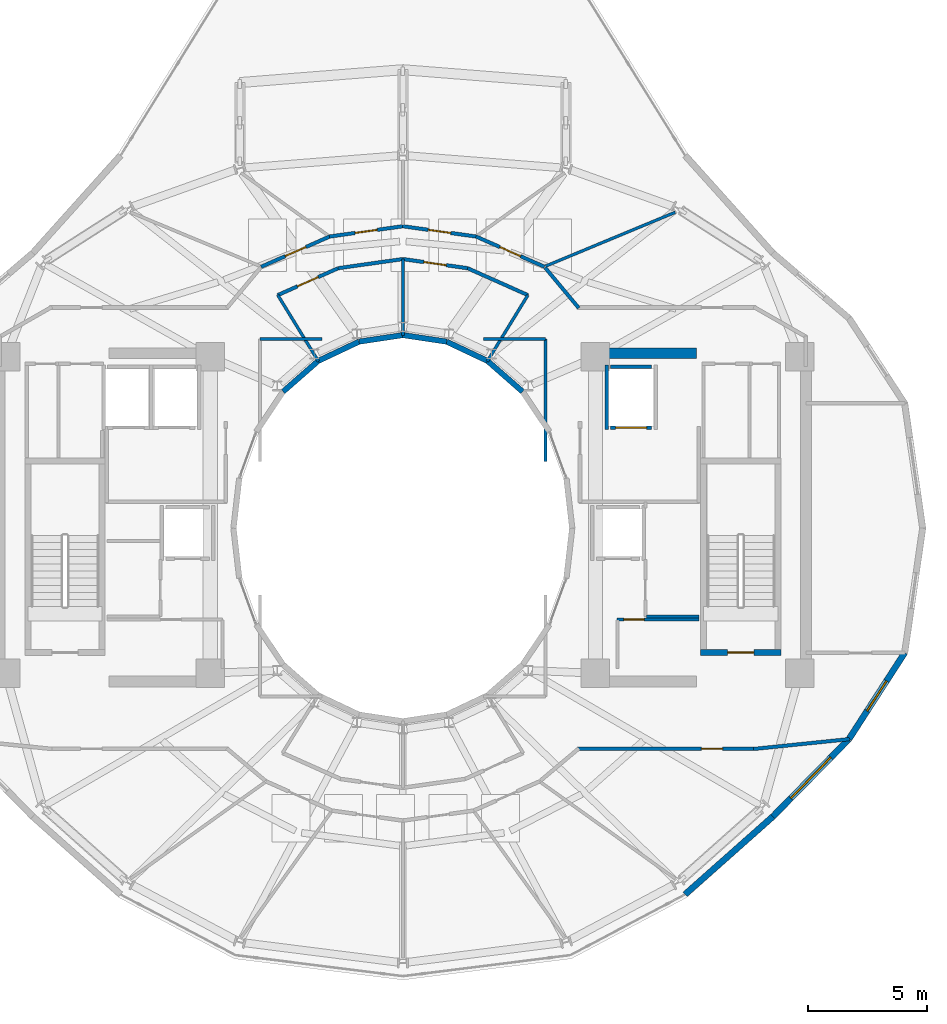
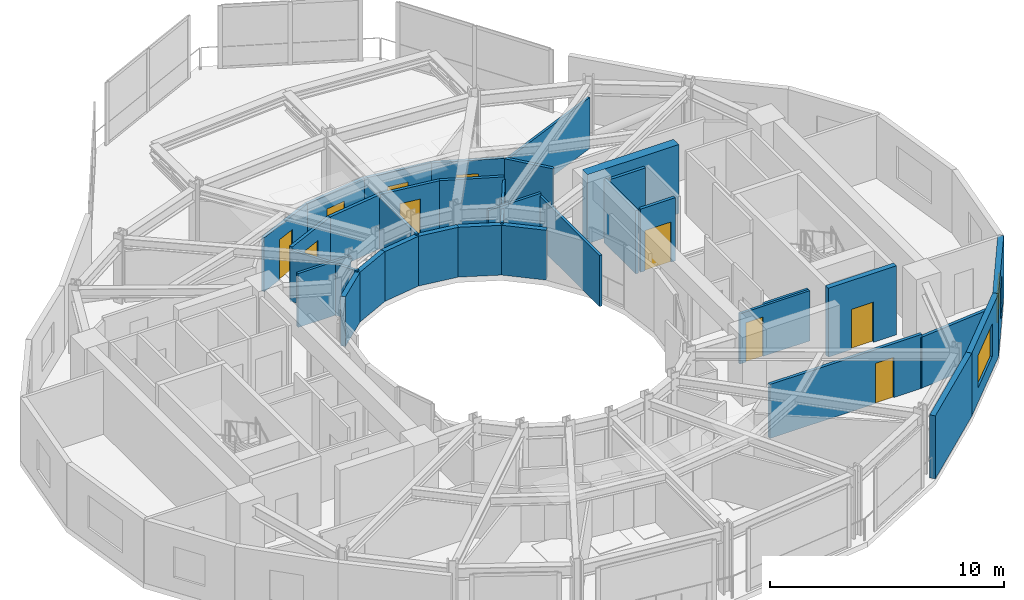
# One storey, part 20 of 24: 34 walls, 10 doors, 2 windows, 12 openings.
"""IFC4 building model written with IfcOpenShell, lengths in metres."""

from ifc_helpers import new_model, si_unit, direction, frame, frame_2d, origin, place, context, subcontext, project, spatial, rectangle, extrude, material, layer, layer_set, type_object, element, fill, save


model = new_model("IFC4")

# Units and contexts
model_context = context("Model", 3, precision=1e-05, world=origin(), true_north=direction((0.0, 1.0)))
body_context = subcontext(model_context, "Body", "Model", "MODEL_VIEW")
ifc_project = project(units=[si_unit("LENGTHUNIT", "METRE"), si_unit("AREAUNIT", "SQUARE_METRE"), si_unit("VOLUMEUNIT", "CUBIC_METRE"), si_unit("PLANEANGLEUNIT", "RADIAN"), si_unit("MASSUNIT", "GRAM", prefix="KILO")], contexts=[model_context])

# Site, building, storey
site_placement = place(None, origin())
site = spatial("IfcSite", under=ifc_project, at=site_placement, CompositionType="ELEMENT")
building_placement = place(site_placement, origin())
building = spatial("IfcBuilding", under=site, at=building_placement, Name="Solvane Sanctuary Tower", CompositionType="ELEMENT")
storey_placement = place(building_placement, frame((0.0, 0.0, 246.0)))
storey = spatial("IfcBuildingStorey", under=building, at=storey_placement, Name="L75", CompositionType="ELEMENT", Elevation=246.0)

# Walls
ifc_material_1 = material(Name="Concrete C50/60", Category="concrete")
ifc_layer_1 = layer(ifc_material_1, 0.449951171875, Name="Concrete C50/60")
ifc_layer_set_1 = layer_set([ifc_layer_1], Name="Concrete C50/60")
wall_type_1 = type_object("IfcWallType", Name="Wall W-CORE-450", PredefinedType="SHEAR", material=ifc_layer_set_1)
wall_1_placement = place(storey_placement, frame((39.85009765625, 30.35009765625, 0.0), z_axis=(0.0, 0.0, 1.0), x_axis=(1.0, 0.0, 0.0)))
element("IfcWall", 1, at=wall_1_placement, inside=storey, type_object=wall_type_1, Name="L75 Core Shear Wall EC-N", PredefinedType="SHEAR", context=body_context, shape_type="SweptSolid", body=[
    extrude(rectangle(XDim=4.5, YDim=0.449951171875, at=frame_2d((2.25, 0.0))), origin(), (0.0, 0.0, 1.0), 3.60009765625),
])
ifc_material_2 = material(Name="Acoustic Gypsum Partition Board")
ifc_layer_2 = layer(ifc_material_2, 0.14990234375, Name="Acoustic Gypsum Partition Board")
ifc_layer_set_2 = layer_set([ifc_layer_2], Name="Acoustic Gypsum Partition Board")
wall_type_2 = type_object("IfcWallType", Name="Wall W-CORR-150", PredefinedType="PARTITIONING", material=ifc_layer_set_2)
wall_2_placement = place(storey_placement, frame((37.265380859375, 32.797607421875, 0.0), z_axis=(0.0, 0.0, 1.0), x_axis=(-0.913254317828, 0.407389924971, 0.0)))
element("IfcWall", 2, at=wall_2_placement, inside=storey, type_object=wall_type_2, Name="L75 Light-Well Alcove Corridor Wall 1", PredefinedType="PARTITIONING", context=body_context, shape_type="SweptSolid", body=[
    extrude(rectangle(XDim=2.78662109375, YDim=0.14990234375, at=frame_2d((1.393310546875, 0.0))), origin(), (0.0, 0.0, 1.0), 2.822998046875),
])

# Wall, opening, door
wall_3_placement = place(storey_placement, frame((34.72412109375, 33.931884765625, 0.0), z_axis=(0.0, 0.0, 1.0), x_axis=(-0.990150268487, 0.140008734782, 0.0)))
wall_3 = element("IfcWall", 3, at=wall_3_placement, inside=storey, type_object=wall_type_2, Name="L75 Light-Well Alcove Corridor Wall 1", PredefinedType="PARTITIONING", context=body_context, shape_type="SweptSolid", body=[
    extrude(rectangle(XDim=2.758544921875, YDim=0.14990234375, at=frame_2d((1.37939453125, 0.0))), origin(), (0.0, 0.0, 1.0), 2.822998046875),
])
opening_1_placement = place(wall_3_placement, frame((0.904296875, 0.0, 0.0)))
opening_1 = element("IfcOpeningElement", 4, at=opening_1_placement, cuts=wall_3, Name="Opening D-L75-13", PredefinedType="OPENING", context=body_context, shape_type="SweptSolid", body=[
    extrude(rectangle(XDim=0.949951171875, YDim=2.10009765625, at=frame_2d((0.47509765625, 1.050048828125))), frame((0.0, 0.0849609375, 0.0), z_axis=(0.0, -1.0, 0.0), x_axis=(1.0, 0.0, 0.0)), (0.0, 0.0, 1.0), 0.169921875),
])
ifc_material_3 = material(Name="Engineered Tropical Hardwood", Category="wood")
door_type_1 = type_object("IfcDoorType", Name="Door D-ROOM-950", OperationType="NOTDEFINED", PredefinedType="DOOR", material=ifc_material_3)
door_1_placement = place(opening_1_placement, origin())
door_1 = element("IfcDoor", 5, at=door_1_placement, inside=storey, type_object=door_type_1, Name="L75 Light-Well Alcove Door 1", OperationType="SINGLE_SWING_RIGHT", OverallHeight=2.10009765625, OverallWidth=0.949951171875, PredefinedType="DOOR", context=body_context, shape_type="SweptSolid", body=[
    extrude(rectangle(XDim=0.949951171875, YDim=2.10009765625, at=frame_2d((0.47509765625, 1.050048828125))), frame((0.0, 0.02490234375, 0.0), z_axis=(0.0, -1.0, 0.0), x_axis=(1.0, 0.0, 0.0)), (0.0, 0.0, 1.0), 0.050048828125),
])
fill(opening_1, door_1)

# Wall
wall_4_placement = place(storey_placement, frame((32.00732421875, 34.318115234375, 0.0), z_axis=(0.0, 0.0, 1.0), x_axis=(-0.990150268487, -0.140008734782, 0.0)))
element("IfcWall", 6, at=wall_4_placement, inside=storey, type_object=wall_type_2, Name="L75 Light-Well Alcove Corridor Wall 2", PredefinedType="PARTITIONING", context=body_context, shape_type="SweptSolid", body=[
    extrude(rectangle(XDim=2.758544921875, YDim=0.14990234375, at=frame_2d((1.37939453125, 0.0))), origin(), (0.0, 0.0, 1.0), 2.822998046875),
])

# Wall, opening, door
wall_5_placement = place(storey_placement, frame((29.279541015625, 33.932861328125, 0.0), z_axis=(0.0, 0.0, 1.0), x_axis=(-0.913254317828, -0.407389924971, 0.0)))
wall_5 = element("IfcWall", 7, at=wall_5_placement, inside=storey, type_object=wall_type_2, Name="L75 Light-Well Alcove Corridor Wall 2", PredefinedType="PARTITIONING", context=body_context, shape_type="SweptSolid", body=[
    extrude(rectangle(XDim=2.78662109375, YDim=0.14990234375, at=frame_2d((1.393310546875, 0.0))), origin(), (0.0, 0.0, 1.0), 2.822998046875),
])
opening_2_placement = place(wall_5_placement, frame((0.918212890625, 0.0, 0.0)))
opening_2 = element("IfcOpeningElement", 8, at=opening_2_placement, cuts=wall_5, Name="Opening D-L75-14", PredefinedType="OPENING", context=body_context, shape_type="SweptSolid", body=[
    extrude(rectangle(XDim=0.949951171875, YDim=2.10009765625, at=frame_2d((0.47509765625, 1.050048828125))), frame((0.0, 0.0849609375, 0.0), z_axis=(0.0, -1.0, 0.0), x_axis=(1.0, 0.0, 0.0)), (0.0, 0.0, 1.0), 0.169921875),
])
door_2_placement = place(opening_2_placement, origin())
door_2 = element("IfcDoor", 9, at=door_2_placement, inside=storey, type_object=door_type_1, Name="L75 Light-Well Alcove Door 2", OperationType="SINGLE_SWING_LEFT", OverallHeight=2.10009765625, OverallWidth=0.949951171875, PredefinedType="DOOR", context=body_context, shape_type="SweptSolid", body=[
    extrude(rectangle(XDim=0.949951171875, YDim=2.10009765625, at=frame_2d((0.47509765625, 1.050048828125))), frame((0.0, 0.02490234375, 0.0), z_axis=(0.0, -1.0, 0.0), x_axis=(1.0, 0.0, 0.0)), (0.0, 0.0, 1.0), 0.050048828125),
])
fill(opening_2, door_2)

# Wall
wall_6_placement = place(storey_placement, frame((37.984130859375, 33.95458984375, 0.0), z_axis=(0.0, 0.0, 1.0), x_axis=(0.64030392053, -0.76812166312, 0.0)))
element("IfcWall", 10, at=wall_6_placement, inside=storey, type_object=wall_type_2, Name="L75 NE Corner Throat Wall", PredefinedType="PARTITIONING", context=body_context, shape_type="SweptSolid", body=[
    extrude(rectangle(XDim=2.2099609375, YDim=0.14990234375, at=frame_2d((1.10498046875, 0.0))), origin(), (0.0, 0.0, 1.0), 2.81591796875),
])

# Wall, opening, door
wall_7_placement = place(storey_placement, frame((39.330078125, 13.719970703125, 0.0), z_axis=(0.0, 0.0, 1.0), x_axis=(1.0, 0.0, 0.0)))
wall_7 = element("IfcWall", 11, at=wall_7_placement, inside=storey, type_object=wall_type_2, Name="L75 SE Corner Corridor Wall", PredefinedType="PARTITIONING", context=body_context, shape_type="SweptSolid", body=[
    extrude(rectangle(XDim=7.52001953125, YDim=0.14990234375, at=frame_2d((3.760009765625, 0.0))), origin(), (0.0, 0.0, 1.0), 2.81591796875),
])
opening_3_placement = place(wall_7_placement, frame((5.219970703125, 0.0, 0.0)))
opening_3 = element("IfcOpeningElement", 12, at=opening_3_placement, cuts=wall_7, Name="Opening D-L75-22", PredefinedType="OPENING", context=body_context, shape_type="SweptSolid", body=[
    extrude(rectangle(XDim=0.89990234375, YDim=2.10009765625, at=frame_2d((0.449951171875, 1.050048828125))), frame((0.0, 0.0849609375, 0.0), z_axis=(0.0, -1.0, 0.0), x_axis=(1.0, 0.0, 0.0)), (0.0, 0.0, 1.0), 0.169921875),
])
door_type_2 = type_object("IfcDoorType", Name="Door D-WET-900", OperationType="NOTDEFINED", PredefinedType="DOOR", material=ifc_material_3)
door_3_placement = place(opening_3_placement, origin())
door_3 = element("IfcDoor", 13, at=door_3_placement, inside=storey, type_object=door_type_2, Name="L75 SE Corner Salon Door", OperationType="SINGLE_SWING_LEFT", OverallHeight=2.10009765625, OverallWidth=0.89990234375, PredefinedType="DOOR", context=body_context, shape_type="SweptSolid", body=[
    extrude(rectangle(XDim=0.89990234375, YDim=2.10009765625, at=frame_2d((0.449951171875, 1.050048828125))), frame((0.0, 0.02490234375, 0.0), z_axis=(0.0, -1.0, 0.0), x_axis=(1.0, 0.0, 0.0)), (0.0, 0.0, 1.0), 0.050048828125),
])
fill(opening_3, door_3)

# Wall
wall_8_placement = place(storey_placement, frame((46.750244140625, 13.71484375, 0.0), z_axis=(0.0, 0.0, 1.0), x_axis=(0.994734711466, 0.102483431859, 0.0)))
element("IfcWall", 14, at=wall_8_placement, inside=storey, type_object=wall_type_2, Name="L75 SE Corner Wing Wall", PredefinedType="PARTITIONING", context=body_context, shape_type="SweptSolid", body=[
    extrude(rectangle(XDim=4.04736328125, YDim=0.14990234375, at=frame_2d((2.023681640625, 0.0))), origin(), (0.0, 0.0, 1.0), 2.659912109375),
])

# Wall, opening, door
wall_9_placement = place(storey_placement, frame((37.956298828125, 33.992431640625, 0.0), z_axis=(0.0, 0.0, 1.0), x_axis=(-0.914642679993, 0.404263240891, 0.0)))
wall_9 = element("IfcWall", 15, at=wall_9_placement, inside=storey, type_object=wall_type_2, Name="L75 Sky Promenade Corridor Wall N1", PredefinedType="PARTITIONING", context=body_context, shape_type="SweptSolid", body=[
    extrude(rectangle(XDim=3.154296875, YDim=0.14990234375, at=frame_2d((1.5771484375, 0.0))), origin(), (0.0, 0.0, 1.0), 2.822998046875),
])
opening_4_placement = place(wall_9_placement, frame((1.10205078125, 0.0, 0.0)))
opening_4 = element("IfcOpeningElement", 16, at=opening_4_placement, cuts=wall_9, Name="Opening D-L75-23", PredefinedType="OPENING", context=body_context, shape_type="SweptSolid", body=[
    extrude(rectangle(XDim=0.949951171875, YDim=2.10009765625, at=frame_2d((0.47509765625, 1.050048828125))), frame((0.0, 0.0849609375, 0.0), z_axis=(0.0, -1.0, 0.0), x_axis=(1.0, 0.0, 0.0)), (0.0, 0.0, 1.0), 0.169921875),
])
door_4_placement = place(opening_4_placement, origin())
door_4 = element("IfcDoor", 17, at=door_4_placement, inside=storey, type_object=door_type_1, Name="L75 Sky Hall Entrance Door N1", OperationType="SINGLE_SWING_RIGHT", OverallHeight=2.10009765625, OverallWidth=0.949951171875, PredefinedType="DOOR", context=body_context, shape_type="SweptSolid", body=[
    extrude(rectangle(XDim=0.949951171875, YDim=2.10009765625, at=frame_2d((0.47509765625, 1.050048828125))), frame((0.0, 0.02490234375, 0.0), z_axis=(0.0, -1.0, 0.0), x_axis=(1.0, 0.0, 0.0)), (0.0, 0.0, 1.0), 0.050048828125),
])
fill(opening_4, door_4)

wall_10_placement = place(storey_placement, frame((35.08740234375, 35.262939453125, 0.0), z_axis=(0.0, 0.0, 1.0), x_axis=(-0.990268690673, 0.139168675614, 0.0)))
wall_10 = element("IfcWall", 18, at=wall_10_placement, inside=storey, type_object=wall_type_2, Name="L75 Sky Promenade Corridor Wall N2", PredefinedType="PARTITIONING", context=body_context, shape_type="SweptSolid", body=[
    extrude(rectangle(XDim=3.126220703125, YDim=0.14990234375, at=frame_2d((1.56298828125, 0.0))), origin(), (0.0, 0.0, 1.0), 2.822998046875),
])
opening_5_placement = place(wall_10_placement, frame((1.088134765625, 0.0, 0.0)))
opening_5 = element("IfcOpeningElement", 19, at=opening_5_placement, cuts=wall_10, Name="Opening D-L75-24", PredefinedType="OPENING", context=body_context, shape_type="SweptSolid", body=[
    extrude(rectangle(XDim=0.949951171875, YDim=2.10009765625, at=frame_2d((0.47509765625, 1.050048828125))), frame((0.0, 0.0849609375, 0.0), z_axis=(0.0, -1.0, 0.0), x_axis=(1.0, 0.0, 0.0)), (0.0, 0.0, 1.0), 0.169921875),
])
door_5_placement = place(opening_5_placement, origin())
door_5 = element("IfcDoor", 20, at=door_5_placement, inside=storey, type_object=door_type_1, Name="L75 Sky Hall Entrance Door N2", OperationType="SINGLE_SWING_LEFT", OverallHeight=2.10009765625, OverallWidth=0.949951171875, PredefinedType="DOOR", context=body_context, shape_type="SweptSolid", body=[
    extrude(rectangle(XDim=0.949951171875, YDim=2.10009765625, at=frame_2d((0.47509765625, 1.050048828125))), frame((0.0, 0.02490234375, 0.0), z_axis=(0.0, -1.0, 0.0), x_axis=(1.0, 0.0, 0.0)), (0.0, 0.0, 1.0), 0.050048828125),
])
fill(opening_5, door_5)

wall_11_placement = place(storey_placement, frame((32.00830078125, 35.697998046875, 0.0), z_axis=(0.0, 0.0, 1.0), x_axis=(-0.990268690673, -0.139168675614, 0.0)))
wall_11 = element("IfcWall", 21, at=wall_11_placement, inside=storey, type_object=wall_type_2, Name="L75 Sky Promenade Corridor Wall N3", PredefinedType="PARTITIONING", context=body_context, shape_type="SweptSolid", body=[
    extrude(rectangle(XDim=3.126220703125, YDim=0.14990234375, at=frame_2d((1.56298828125, 0.0))), origin(), (0.0, 0.0, 1.0), 2.822998046875),
])
opening_6_placement = place(wall_11_placement, frame((1.088134765625, 0.0, 0.0)))
opening_6 = element("IfcOpeningElement", 22, at=opening_6_placement, cuts=wall_11, Name="Opening D-L75-25", PredefinedType="OPENING", context=body_context, shape_type="SweptSolid", body=[
    extrude(rectangle(XDim=0.949951171875, YDim=2.10009765625, at=frame_2d((0.47509765625, 1.050048828125))), frame((0.0, 0.0849609375, 0.0), z_axis=(0.0, -1.0, 0.0), x_axis=(1.0, 0.0, 0.0)), (0.0, 0.0, 1.0), 0.169921875),
])
door_6_placement = place(opening_6_placement, origin())
door_6 = element("IfcDoor", 23, at=door_6_placement, inside=storey, type_object=door_type_1, Name="L75 Sky Hall Entrance Door N3", OperationType="SINGLE_SWING_RIGHT", OverallHeight=2.10009765625, OverallWidth=0.949951171875, PredefinedType="DOOR", context=body_context, shape_type="SweptSolid", body=[
    extrude(rectangle(XDim=0.949951171875, YDim=2.10009765625, at=frame_2d((0.47509765625, 1.050048828125))), frame((0.0, 0.02490234375, 0.0), z_axis=(0.0, -1.0, 0.0), x_axis=(1.0, 0.0, 0.0)), (0.0, 0.0, 1.0), 0.050048828125),
])
fill(opening_6, door_6)

wall_12_placement = place(storey_placement, frame((28.9287109375, 35.267578125, 0.0), z_axis=(0.0, 0.0, 1.0), x_axis=(-0.914642679993, -0.404263240891, 0.0)))
wall_12 = element("IfcWall", 24, at=wall_12_placement, inside=storey, type_object=wall_type_2, Name="L75 Sky Promenade Corridor Wall N4", PredefinedType="PARTITIONING", context=body_context, shape_type="SweptSolid", body=[
    extrude(rectangle(XDim=3.154296875, YDim=0.14990234375, at=frame_2d((1.5771484375, 0.0))), origin(), (0.0, 0.0, 1.0), 2.822998046875),
])
opening_7_placement = place(wall_12_placement, frame((1.10205078125, 0.0, 0.0)))
opening_7 = element("IfcOpeningElement", 25, at=opening_7_placement, cuts=wall_12, Name="Opening D-L75-26", PredefinedType="OPENING", context=body_context, shape_type="SweptSolid", body=[
    extrude(rectangle(XDim=0.949951171875, YDim=2.10009765625, at=frame_2d((0.47509765625, 1.050048828125))), frame((0.0, 0.0849609375, 0.0), z_axis=(0.0, -1.0, 0.0), x_axis=(1.0, 0.0, 0.0)), (0.0, 0.0, 1.0), 0.169921875),
])
door_7_placement = place(opening_7_placement, origin())
door_7 = element("IfcDoor", 26, at=door_7_placement, inside=storey, type_object=door_type_1, Name="L75 Sky Hall Entrance Door N4", OperationType="SINGLE_SWING_LEFT", OverallHeight=2.10009765625, OverallWidth=0.949951171875, PredefinedType="DOOR", context=body_context, shape_type="SweptSolid", body=[
    extrude(rectangle(XDim=0.949951171875, YDim=2.10009765625, at=frame_2d((0.47509765625, 1.050048828125))), frame((0.0, 0.02490234375, 0.0), z_axis=(0.0, -1.0, 0.0), x_axis=(1.0, 0.0, 0.0)), (0.0, 0.0, 1.0), 0.050048828125),
])
fill(opening_7, door_7)

# Wall
ifc_material_4 = material(Name="Precast concrete C40/50", Category="concrete")
ifc_layer_3 = layer(ifc_material_4, 0.260009765625, Name="Precast concrete C40/50")
ifc_layer_set_3 = layer_set([ifc_layer_3], Name="Precast concrete C40/50")
wall_type_3 = type_object("IfcWallType", Name="Wall W-EXT-250", PredefinedType="STANDARD", material=ifc_layer_set_3)
wall_13_placement = place(storey_placement, frame((43.8701171875, 7.600830078125, 0.0), z_axis=(0.0, 0.0, 1.0), x_axis=(0.748165854006, 0.663511759428, 0.0)))
element("IfcWall", 27, at=wall_13_placement, inside=storey, type_object=wall_type_3, Name="L75 Ceramic-Printed Facade Wall 20", PredefinedType="STANDARD", context=body_context, shape_type="SweptSolid", body=[
    extrude(rectangle(XDim=4.9287109375, YDim=0.260009765625, at=frame_2d((2.46435546875, 0.0))), origin(), (0.0, 0.0, 1.0), 3.2900390625),
])

# Wall, opening, window
wall_14_placement = place(storey_placement, frame((47.5576171875, 10.87109375, 0.0), z_axis=(0.0, 0.0, 1.0), x_axis=(0.700642973333, 0.713512034881, 0.0)))
wall_14 = element("IfcWall", 28, at=wall_14_placement, inside=storey, type_object=wall_type_3, Name="L75 Ceramic-Printed Facade Wall 21", PredefinedType="STANDARD", context=body_context, shape_type="SweptSolid", body=[
    extrude(rectangle(XDim=4.572021484375, YDim=0.260009765625, at=frame_2d((2.2861328125, 0.0))), origin(), (0.0, 0.0, 1.0), 3.2900390625),
])
opening_8_placement = place(wall_14_placement, frame((1.0859375, 0.0, 0.75)))
opening_8 = element("IfcOpeningElement", 29, at=opening_8_placement, cuts=wall_14, Name="Opening WN-RIB-2400", PredefinedType="OPENING", context=body_context, shape_type="SweptSolid", body=[
    extrude(rectangle(XDim=2.39990234375, YDim=1.699951171875, at=frame_2d((1.199951171875, 0.85009765625))), frame((0.0, 0.139892578125, 0.0), z_axis=(0.0, -1.0, 0.0), x_axis=(1.0, 0.0, 0.0)), (0.0, 0.0, 1.0), 0.280029296875),
])
ifc_material_5 = material(Name="Dark Ceramic-Fritted Low-E Glass", Category="glass")
window_type_1 = type_object("IfcWindowType", Name="Window WN-RIB-2400", PartitioningType="SINGLE_PANEL", PredefinedType="WINDOW", material=ifc_material_5)
window_1_placement = place(opening_8_placement, origin())
window_1 = element("IfcWindow", 30, at=window_1_placement, inside=storey, type_object=window_type_1, Name="L75 Operable Facade Window 21", OverallHeight=1.699951171875, OverallWidth=2.39990234375, PartitioningType="SINGLE_PANEL", PredefinedType="WINDOW", context=body_context, shape_type="SweptSolid", body=[
    extrude(rectangle(XDim=2.39990234375, YDim=1.699951171875, at=frame_2d((1.199951171875, 0.85009765625))), frame((0.0, 0.030029296875, 0.0), z_axis=(0.0, -1.0, 0.0), x_axis=(1.0, 0.0, 0.0)), (0.0, 0.0, 1.0), 0.06005859375),
])
fill(opening_8, window_1)

wall_15_placement = place(storey_placement, frame((50.760986328125, 14.13330078125, 0.0), z_axis=(0.0, 0.0, 1.0), x_axis=(0.542641766008, 0.839964233634, 0.0)))
wall_15 = element("IfcWall", 31, at=wall_15_placement, inside=storey, type_object=wall_type_3, Name="L75 Ceramic-Printed Facade Wall 22", PredefinedType="STANDARD", context=body_context, shape_type="SweptSolid", body=[
    extrude(rectangle(XDim=4.319091796875, YDim=0.260009765625, at=frame_2d((2.15966796875, 0.0))), origin(), (0.0, 0.0, 1.0), 3.2900390625),
])
opening_9_placement = place(wall_15_placement, frame((1.40966796875, 0.0, 0.75)))
opening_9 = element("IfcOpeningElement", 32, at=opening_9_placement, cuts=wall_15, Name="Opening WN-OPER-1500", PredefinedType="OPENING", context=body_context, shape_type="SweptSolid", body=[
    extrude(rectangle(XDim=1.5, YDim=1.60009765625, at=frame_2d((0.75, 0.800048828125))), frame((0.0, 0.139892578125, 0.0), z_axis=(0.0, -1.0, 0.0), x_axis=(1.0, 0.0, 0.0)), (0.0, 0.0, 1.0), 0.280029296875),
])
window_type_2 = type_object("IfcWindowType", Name="Window WN-OPER-1500", PartitioningType="SINGLE_PANEL", PredefinedType="WINDOW", material=ifc_material_5)
window_2_placement = place(opening_9_placement, origin())
window_2 = element("IfcWindow", 33, at=window_2_placement, inside=storey, type_object=window_type_2, Name="L75 Operable Facade Window 22", OverallHeight=1.60009765625, OverallWidth=1.5, PartitioningType="SINGLE_PANEL", PredefinedType="WINDOW", context=body_context, shape_type="SweptSolid", body=[
    extrude(rectangle(XDim=1.5, YDim=1.60009765625, at=frame_2d((0.75, 0.800048828125))), frame((0.0, 0.030029296875, 0.0), z_axis=(0.0, -1.0, 0.0), x_axis=(1.0, 0.0, 0.0)), (0.0, 0.0, 1.0), 0.06005859375),
])
fill(opening_9, window_2)

# Walls
ifc_layer_4 = layer(ifc_material_4, 0.22998046875, Name="Precast concrete C40/50")
ifc_layer_set_4 = layer_set([ifc_layer_4], Name="Precast concrete C40/50")
wall_type_4 = type_object("IfcWallType", Name="Wall W-EXT-SP220", PredefinedType="STANDARD", material=ifc_layer_set_4)
wall_16_placement = place(storey_placement, frame((37.03466796875, 28.74169921875, 0.0), z_axis=(0.0, 0.0, 1.0), x_axis=(-0.752576694707, 0.658504607869, 0.0)))
element("IfcWall", 34, at=wall_16_placement, inside=storey, type_object=wall_type_4, Name="L75 Central Light-Well Wall 03", PredefinedType="STANDARD", context=body_context, shape_type="SweptSolid", body=[
    extrude(rectangle(XDim=1.95947265625, YDim=0.22998046875, at=frame_2d((0.979736328125, 0.0))), origin(), (0.0, 0.0, 1.0), 2.60009765625),
])
wall_17_placement = place(storey_placement, frame((35.56005859375, 30.031982421875, 0.0), z_axis=(0.0, 0.0, 1.0), x_axis=(-0.904179699603, 0.427152280606, 0.0)))
element("IfcWall", 35, at=wall_17_placement, inside=storey, type_object=wall_type_4, Name="L75 Central Light-Well Wall 04", PredefinedType="STANDARD", context=body_context, shape_type="SweptSolid", body=[
    extrude(rectangle(XDim=1.899169921875, YDim=0.22998046875, at=frame_2d((0.94970703125, 0.0))), origin(), (0.0, 0.0, 1.0), 2.60009765625),
])
for number, where, z_axis, x_axis, name in (
    (36, (33.8427734375, 30.84326171875, 0.0), (0.0, 0.0, 1.0), (-0.988901730308, 0.148571086668, 0.0), "L75 Central Light-Well Wall 05"),
    (37, (32.0, 31.1201171875, 0.0), (0.0, 0.0, 1.0), (-0.988901730308, -0.148571086668, 0.0), "L75 Central Light-Well Wall 06"),
):
    element("IfcWall", number, at=place(storey_placement, frame(where, z_axis=z_axis, x_axis=x_axis)), inside=storey, type_object=wall_type_4, Name=name, PredefinedType="STANDARD", context=body_context, shape_type="SweptSolid", body=[
        extrude(rectangle(XDim=1.863525390625, YDim=0.22998046875, at=frame_2d((0.931640625, 0.0))), origin(), (0.0, 0.0, 1.0), 2.60009765625),
    ])
wall_18_placement = place(storey_placement, frame((30.1572265625, 30.84326171875, 0.0), z_axis=(0.0, 0.0, 1.0), x_axis=(-0.904179699603, -0.427152280606, 0.0)))
element("IfcWall", 38, at=wall_18_placement, inside=storey, type_object=wall_type_4, Name="L75 Central Light-Well Wall 07", PredefinedType="STANDARD", context=body_context, shape_type="SweptSolid", body=[
    extrude(rectangle(XDim=1.899169921875, YDim=0.22998046875, at=frame_2d((0.94970703125, 0.0))), origin(), (0.0, 0.0, 1.0), 2.60009765625),
])
wall_19_placement = place(storey_placement, frame((28.43994140625, 30.031982421875, 0.0), z_axis=(0.0, 0.0, 1.0), x_axis=(-0.752576694707, -0.658504607869, 0.0)))
element("IfcWall", 39, at=wall_19_placement, inside=storey, type_object=wall_type_4, Name="L75 Central Light-Well Wall 08", PredefinedType="STANDARD", context=body_context, shape_type="SweptSolid", body=[
    extrude(rectangle(XDim=1.95947265625, YDim=0.22998046875, at=frame_2d((0.979736328125, 0.0))), origin(), (0.0, 0.0, 1.0), 2.60009765625),
])
ifc_layer_5 = layer(ifc_material_2, 0.1201171875, Name="Acoustic Gypsum Partition Board")
ifc_layer_set_5 = layer_set([ifc_layer_5], Name="Acoustic Gypsum Partition Board")
wall_type_5 = type_object("IfcWallType", Name="Wall W-MOV-100", PredefinedType="MOVABLE", material=ifc_layer_set_5)
wall_20_placement = place(storey_placement, frame((37.999755859375, 34.017822265625, 0.0), z_axis=(0.0, 0.0, 1.0), x_axis=(0.92349333748, 0.383614462228, 0.0)))
element("IfcWall", 40, at=wall_20_placement, inside=storey, type_object=wall_type_5, Name="L75 Sky Hall Radial Partition 060", PredefinedType="MOVABLE", context=body_context, shape_type="SweptSolid", body=[
    extrude(rectangle(XDim=5.9072265625, YDim=0.1201171875, at=frame_2d((2.95361328125, 0.0))), origin(), (0.0, 0.0, 1.0), 2.659912109375),
])

# Wall, opening, door
ifc_layer_6 = layer(ifc_material_2, 0.125, Name="Acoustic Gypsum Partition Board")
ifc_layer_set_6 = layer_set([ifc_layer_6], Name="Acoustic Gypsum Partition Board")
wall_type_6 = type_object("IfcWallType", Name="Wall W-PART-125", PredefinedType="PARTITIONING", material=ifc_layer_set_6)
wall_21_placement = place(storey_placement, frame((41.0, 19.159912109375, 0.0), z_axis=(0.0, 0.0, 1.0), x_axis=(1.0, 0.0, 0.0)))
wall_21 = element("IfcWall", 41, at=wall_21_placement, inside=storey, type_object=wall_type_6, Name="L75 Reclaimed Room Partition PLE", PredefinedType="PARTITIONING", context=body_context, shape_type="SweptSolid", body=[
    extrude(rectangle(XDim=3.449951171875, YDim=0.125, at=frame_2d((1.72509765625, 0.0))), origin(), (0.0, 0.0, 1.0), 2.6201171875),
])
opening_10_placement = place(wall_21_placement, frame((0.292724609375, 0.0, 0.0)))
opening_10 = element("IfcOpeningElement", 42, at=opening_10_placement, cuts=wall_21, Name="Opening D-L75-06", PredefinedType="OPENING", context=body_context, shape_type="SweptSolid", body=[
    extrude(rectangle(XDim=0.85009765625, YDim=2.050048828125, at=frame_2d((0.425048828125, 1.02490234375))), frame((0.0, 0.072509765625, 0.0), z_axis=(0.0, -1.0, 0.0), x_axis=(1.0, 0.0, 0.0)), (0.0, 0.0, 1.0), 0.14501953125),
])
ifc_material_6 = material(Name="Architectural Stainless Steel 316", Category="steel")
door_type_3 = type_object("IfcDoorType", Name="Door D-RISER", OperationType="NOTDEFINED", PredefinedType="DOOR", material=ifc_material_6)
door_8_placement = place(opening_10_placement, origin())
door_8 = element("IfcDoor", 43, at=door_8_placement, inside=storey, type_object=door_type_3, Name="L75 Reclaimed Room Door PLE-1", OperationType="SINGLE_SWING_LEFT", OverallHeight=2.050048828125, OverallWidth=0.85009765625, PredefinedType="DOOR", context=body_context, shape_type="SweptSolid", body=[
    extrude(rectangle(XDim=0.85009765625, YDim=2.050048828125, at=frame_2d((0.425048828125, 1.02490234375))), frame((0.0, 0.02490234375, 0.0), z_axis=(0.0, -1.0, 0.0), x_axis=(1.0, 0.0, 0.0)), (0.0, 0.0, 1.0), 0.050048828125),
])
fill(opening_10, door_8)

# Walls
wall_22_placement = place(storey_placement, frame((42.239990234375, 19.280029296875, 0.0), z_axis=(0.0, 0.0, 1.0), x_axis=(1.0, 0.0, 0.0)))
element("IfcWall", 44, at=wall_22_placement, inside=storey, type_object=wall_type_6, Name="L75 Reclaimed Room Closer Wall PME-1", PredefinedType="PARTITIONING", context=body_context, shape_type="SweptSolid", body=[
    extrude(rectangle(XDim=2.2099609375, YDim=0.125, at=frame_2d((1.10498046875, 0.0))), origin(), (0.0, 0.0, 1.0), 2.6201171875),
])
wall_23_placement = place(storey_placement, frame((35.550048828125, 30.014892578125, 0.0), z_axis=(0.0, 0.0, 1.0), x_axis=(0.522763432117, 0.852477796802, 0.0)))
element("IfcWall", 45, at=wall_23_placement, inside=storey, type_object=wall_type_6, Name="L75 Light-Well Alcove Radial Wall 60", PredefinedType="PARTITIONING", context=body_context, shape_type="SweptSolid", body=[
    extrude(rectangle(XDim=3.26904296875, YDim=0.125, at=frame_2d((1.634521484375, 0.0))), origin(), (0.0, 0.0, 1.0), 2.672119140625),
])
wall_24_placement = place(storey_placement, frame((32.0, 31.10009765625, 0.0), z_axis=(0.0, 0.0, 1.0), x_axis=(0.0, 1.0, 0.0)))
element("IfcWall", 46, at=wall_24_placement, inside=storey, type_object=wall_type_6, Name="L75 Light-Well Alcove Radial Wall 90", PredefinedType="PARTITIONING", context=body_context, shape_type="SweptSolid", body=[
    extrude(rectangle(XDim=3.218017578125, YDim=0.125, at=frame_2d((1.60888671875, 0.0))), origin(), (0.0, 0.0, 1.0), 2.672119140625),
])
wall_25_placement = place(storey_placement, frame((28.449951171875, 30.014892578125, 0.0), z_axis=(0.0, 0.0, 1.0), x_axis=(-0.522763432117, 0.852477796802, 0.0)))
element("IfcWall", 47, at=wall_25_placement, inside=storey, type_object=wall_type_6, Name="L75 Light-Well Alcove Radial Wall 120", PredefinedType="PARTITIONING", context=body_context, shape_type="SweptSolid", body=[
    extrude(rectangle(XDim=3.26904296875, YDim=0.125, at=frame_2d((1.634521484375, 0.0))), origin(), (0.0, 0.0, 1.0), 2.672119140625),
])
wall_26_placement = place(storey_placement, frame((26.0, 30.9599609375, 0.0), z_axis=(0.0, 0.0, 1.0), x_axis=(1.0, 0.0, 0.0)))
element("IfcWall", 48, at=wall_26_placement, inside=storey, type_object=wall_type_6, Name="L75 Bridge Alcove Wall 2", PredefinedType="PARTITIONING", context=body_context, shape_type="SweptSolid", body=[
    extrude(rectangle(XDim=2.60009765625, YDim=0.125, at=frame_2d((1.300048828125, 0.0))), origin(), (0.0, 0.0, 1.0), 2.81591796875),
])
wall_27_placement = place(storey_placement, frame((38.0, 25.800048828125, 0.0), z_axis=(0.0, 0.0, 1.0), x_axis=(0.0, 1.0, 0.0)))
element("IfcWall", 49, at=wall_27_placement, inside=storey, type_object=wall_type_6, Name="L75 Bridge Alcove Wall 3", PredefinedType="PARTITIONING", context=body_context, shape_type="SweptSolid", body=[
    extrude(rectangle(XDim=5.159912109375, YDim=0.125, at=frame_2d((2.580078125, 0.0))), origin(), (0.0, 0.0, 1.0), 2.672119140625),
])
wall_28_placement = place(storey_placement, frame((35.39990234375, 30.9599609375, 0.0), z_axis=(0.0, 0.0, 1.0), x_axis=(1.0, 0.0, 0.0)))
element("IfcWall", 50, at=wall_28_placement, inside=storey, type_object=wall_type_6, Name="L75 Bridge Alcove Wall 4", PredefinedType="PARTITIONING", context=body_context, shape_type="SweptSolid", body=[
    extrude(rectangle(XDim=2.60009765625, YDim=0.125, at=frame_2d((1.300048828125, 0.0))), origin(), (0.0, 0.0, 1.0), 2.81591796875),
])

# Wall, opening, door
ifc_layer_7 = layer(ifc_material_1, 0.14990234375, Name="Concrete C50/60")
ifc_layer_set_7 = layer_set([ifc_layer_7], Name="Concrete C50/60")
wall_type_7 = type_object("IfcWallType", Name="Wall W-SHAFT-150", PredefinedType="SOLIDWALL", material=ifc_layer_set_7)
wall_29_placement = place(storey_placement, frame((40.739990234375, 27.219970703125, 0.0), z_axis=(0.0, 0.0, 1.0), x_axis=(1.0, 0.0, 0.0)))
wall_29 = element("IfcWall", 51, at=wall_29_placement, inside=storey, type_object=wall_type_7, Name="L75 FFL-2 Lift Shaft Wall F", PredefinedType="SOLIDWALL", context=body_context, shape_type="SweptSolid", body=[
    extrude(rectangle(XDim=1.719970703125, YDim=0.14990234375, at=frame_2d((0.85986328125, 0.0))), origin(), (0.0, 0.0, 1.0), 3.294921875),
])
opening_11_placement = place(wall_29_placement, frame((0.2099609375, 0.0, 0.0)))
opening_11 = element("IfcOpeningElement", 52, at=opening_11_placement, cuts=wall_29, Name="Opening LD-L75-05", PredefinedType="OPENING", context=body_context, shape_type="SweptSolid", body=[
    extrude(rectangle(XDim=1.300048828125, YDim=2.10009765625, at=frame_2d((0.64990234375, 1.050048828125))), frame((0.0, 0.0849609375, 0.0), z_axis=(0.0, -1.0, 0.0), x_axis=(1.0, 0.0, 0.0)), (0.0, 0.0, 1.0), 0.169921875),
])
door_type_4 = type_object("IfcDoorType", Name="Door LD-FFL-1300", OperationType="NOTDEFINED", PredefinedType="DOOR", material=ifc_material_6)
door_9_placement = place(opening_11_placement, origin())
door_9 = element("IfcDoor", 53, at=door_9_placement, inside=storey, type_object=door_type_4, Name="L75 FFL-2 Lift Landing Door", OperationType="DOUBLE_DOOR_SLIDING", OverallHeight=2.10009765625, OverallWidth=1.300048828125, PredefinedType="DOOR", context=body_context, shape_type="SweptSolid", body=[
    extrude(rectangle(XDim=1.300048828125, YDim=2.10009765625, at=frame_2d((0.64990234375, 1.050048828125))), frame((0.0, 0.02490234375, 0.0), z_axis=(0.0, -1.0, 0.0), x_axis=(1.0, 0.0, 0.0)), (0.0, 0.0, 1.0), 0.050048828125),
])
fill(opening_11, door_9)

# Walls
wall_30_placement = place(storey_placement, frame((40.739990234375, 29.780029296875, 0.0), z_axis=(0.0, 0.0, 1.0), x_axis=(1.0, 0.0, 0.0)))
element("IfcWall", 54, at=wall_30_placement, inside=storey, type_object=wall_type_7, Name="L75 FFL-2 Lift Shaft Wall B", PredefinedType="SOLIDWALL", context=body_context, shape_type="SweptSolid", body=[
    extrude(rectangle(XDim=1.719970703125, YDim=0.14990234375, at=frame_2d((0.85986328125, 0.0))), origin(), (0.0, 0.0, 1.0), 3.294921875),
])
wall_31_placement = place(storey_placement, frame((40.570068359375, 27.139892578125, 0.0), z_axis=(0.0, 0.0, 1.0), x_axis=(0.0, 1.0, 0.0)))
element("IfcWall", 55, at=wall_31_placement, inside=storey, type_object=wall_type_7, Name="L75 FFL-2 Lift Shaft Wall S1", PredefinedType="SOLIDWALL", context=body_context, shape_type="SweptSolid", body=[
    extrude(rectangle(XDim=2.72021484375, YDim=0.14990234375, at=frame_2d((1.360107421875, 0.0))), origin(), (0.0, 0.0, 1.0), 3.294921875),
])

# Wall, opening, door
ifc_layer_8 = layer(ifc_material_1, 0.25, Name="Concrete C50/60")
ifc_layer_set_8 = layer_set([ifc_layer_8], Name="Concrete C50/60")
wall_type_8 = type_object("IfcWallType", Name="Wall W-SHAFT-250", PredefinedType="SOLIDWALL", material=ifc_layer_set_8)
wall_32_placement = place(storey_placement, frame((44.52490234375, 17.77001953125, 0.0), z_axis=(0.0, 0.0, 1.0), x_axis=(1.0, 0.0, 0.0)))
wall_32 = element("IfcWall", 56, at=wall_32_placement, inside=storey, type_object=wall_type_8, Name="L75 ST-2 Load-Bearing Shaft Wall S", PredefinedType="SOLIDWALL", context=body_context, shape_type="SweptSolid", body=[
    extrude(rectangle(XDim=3.3701171875, YDim=0.25, at=frame_2d((1.68505859375, 0.0))), origin(), (0.0, 0.0, 1.0), 3.60009765625),
])
opening_12_placement = place(wall_32_placement, frame((1.135009765625, 0.0, 0.0)))
opening_12 = element("IfcOpeningElement", 57, at=opening_12_placement, cuts=wall_32, Name="Opening D-L75-02", PredefinedType="OPENING", context=body_context, shape_type="SweptSolid", body=[
    extrude(rectangle(XDim=1.10009765625, YDim=2.10009765625, at=frame_2d((0.550048828125, 1.050048828125))), frame((0.0, 0.135009765625, 0.0), z_axis=(0.0, -1.0, 0.0), x_axis=(1.0, 0.0, 0.0)), (0.0, 0.0, 1.0), 0.27001953125),
])
door_type_5 = type_object("IfcDoorType", Name="Door D-STAIR", OperationType="NOTDEFINED", PredefinedType="DOOR", material=ifc_material_6)
door_10_placement = place(opening_12_placement, origin())
door_10 = element("IfcDoor", 58, at=door_10_placement, inside=storey, type_object=door_type_5, Name="L75 ST-2 Exit Stair Fire Door", OperationType="SINGLE_SWING_RIGHT", OverallHeight=2.10009765625, OverallWidth=1.10009765625, PredefinedType="DOOR", context=body_context, shape_type="SweptSolid", body=[
    extrude(rectangle(XDim=1.10009765625, YDim=2.10009765625, at=frame_2d((0.550048828125, 1.050048828125))), frame((0.0, 0.02490234375, 0.0), z_axis=(0.0, -1.0, 0.0), x_axis=(1.0, 0.0, 0.0)), (0.0, 0.0, 1.0), 0.050048828125),
])
fill(opening_12, door_10)

save(model, "model.ifc")
